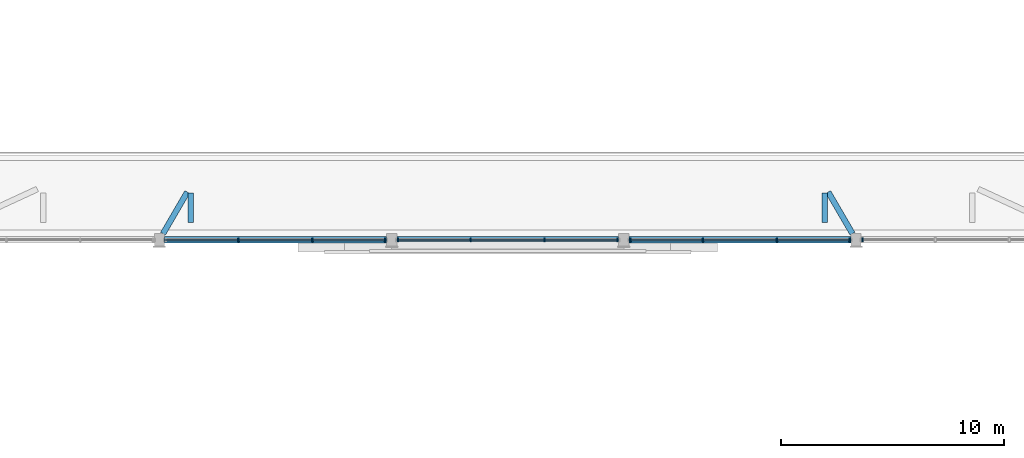
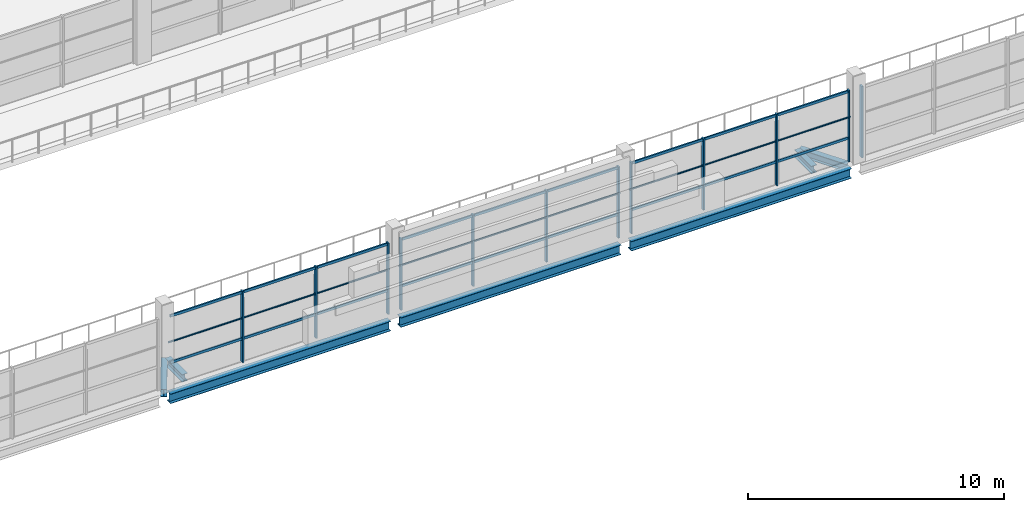
# One storey, part 17 of 85: 21 members, 7 beams, 4 elements without a shape of their own.
"""IFC4 building model written with IfcOpenShell, lengths in metres."""

from ifc_helpers import new_model, si_unit, derived_unit, direction, frame, origin, origin_2d, place, context, subcontext, project, spatial, rectangle, hollow_circle, i_section, extrude, material, material_profile, profile_set, type_object, element, aggregate, save


model = new_model("IFC4")

# Units and contexts
model_context = context("Model", 3, precision=1e-05, world=origin(), true_north=direction((0.0, 1.0)))
body_context = subcontext(model_context, "Body", "Model", "MODEL_VIEW")
ifc_project = project(units=[si_unit("LENGTHUNIT", "METRE"), si_unit("AREAUNIT", "SQUARE_METRE"), si_unit("VOLUMEUNIT", "CUBIC_METRE"), si_unit("PLANEANGLEUNIT", "RADIAN"), si_unit("MASSUNIT", "GRAM", prefix="KILO"), derived_unit("THERMALTRANSMITTANCEUNIT", [(si_unit("POWERUNIT", "WATT"), 1), (si_unit("LENGTHUNIT", "METRE"), -2), (si_unit("THERMODYNAMICTEMPERATUREUNIT", "KELVIN"), -1)])], contexts=[model_context])

# Site, building, storey
site_placement = place(None, origin())
site = spatial("IfcSite", under=ifc_project, at=site_placement, CompositionType="ELEMENT")
building_placement = place(site_placement, origin())
building = spatial("IfcBuilding", under=site, at=building_placement, Name="Braskholm Square Health Centre", CompositionType="ELEMENT")
storey_placement = place(building_placement, frame((0.0, 0.0, 9.300048828125)))
storey = spatial("IfcBuildingStorey", under=building, at=storey_placement, Name="L03", CompositionType="ELEMENT", Elevation=9.300048828125)

# Members
ifc_material_1 = material(Name="Steel ASTM A500 Grade C", Category="steel")
ifc_material_profile_1 = material_profile(ifc_material_1, hollow_circle(Radius=0.04443359375, WallThickness=0.005126953125, at=origin_2d()), Name="HSS3.500X0.216")
ifc_profile_set_1 = profile_set([ifc_material_profile_1], Name="Steel ASTM A500 Grade C")
member_type_1 = type_object("IfcMemberType", Name="ClerestoryGirtStrutCHS89", PredefinedType="STRUT", material=ifc_profile_set_1)
for number, where, z_axis, x_axis, name in (
    (1, (68.610107421875, 87.199951171875, 2.099853515625), (1.0, 0.0, 0.0), (0.0, 1.0, 0.0), "Waiting Hall high clerestory girt Bay 3"),
    (2, (79.010009765625, 87.199951171875, 2.099853515625), (1.0, 0.0, 0.0), (0.0, 1.0, 0.0), "Waiting Hall high clerestory girt Bay 4"),
    (3, (89.409912109375, 87.199951171875, 2.099853515625), (1.0, 0.0, 0.0), (0.0, 1.0, 0.0), "Waiting Hall high clerestory girt Bay 5"),
):
    element("IfcMember", number, at=place(storey_placement, frame(where, z_axis=z_axis, x_axis=x_axis)), inside=storey, type_object=member_type_1, Name=name, PredefinedType="STRUT", context=body_context, shape_type="SweptSolid", body=[
        extrude(hollow_circle(Radius=0.04443359375, WallThickness=0.005126953125, at=origin_2d()), origin(), (0.0, 0.0, 1.0), 9.97998046875),
    ])

# Curtain wall, members
ifc_material_2 = material(Name="Low-E triple insulating glass (VLT 0.64)", Category="glass")
curtain_wall_type = type_object("IfcCurtainWallType", Name="UnitisedCurtainWall6200x3650", PredefinedType="NOTDEFINED", material=ifc_material_2)
curtain_wall_1_placement = place(storey_placement, origin())
curtain_wall_1 = element("IfcCurtainWall", 4, at=curtain_wall_1_placement, inside=storey, type_object=curtain_wall_type, Name="Hall Clerestory L03 unitised curtain wall CW-L03-0190", PredefinedType="NOTDEFINED")
ifc_material_3 = material(Name="Architectural bronze anodised aluminium", Category="aluminium")
ifc_material_profile_2 = material_profile(ifc_material_3, rectangle(XDim=0.06494140625, YDim=0.14990234375, at=origin_2d()), Name="ALU-65X150")
ifc_profile_set_2 = profile_set([ifc_material_profile_2], Name="Architectural bronze anodised aluminium")
member_type_2 = type_object("IfcMemberType", Name="CurtainWallMullion65x150", PredefinedType="MULLION", material=ifc_profile_set_2)
member_1_placement = place(storey_placement, frame((71.944091796875, 87.199951171875, 0.0), z_axis=(0.0, 0.0, 1.0), x_axis=(1.0, 0.0, 0.0)))
member_1 = element("IfcMember", 5, at=member_1_placement, type_object=member_type_2, Name="CW-L03-0190 vertical mullion 2", PredefinedType="MULLION", context=body_context, shape_type="SweptSolid", body=[
    extrude(rectangle(XDim=0.06494140625, YDim=0.14990234375, at=origin_2d()), origin(), (0.0, 0.0, 1.0), 3.406005859375),
])
member_2_placement = place(storey_placement, frame((75.256103515625, 87.199951171875, 0.0), z_axis=(0.0, 0.0, 1.0), x_axis=(1.0, 0.0, 0.0)))
member_2 = element("IfcMember", 6, at=member_2_placement, type_object=member_type_2, Name="CW-L03-0190 vertical mullion 3", PredefinedType="MULLION", context=body_context, shape_type="SweptSolid", body=[
    extrude(rectangle(XDim=0.06494140625, YDim=0.14990234375, at=origin_2d()), origin(), (0.0, 0.0, 1.0), 3.406005859375),
])
member_3_placement = place(storey_placement, frame((78.50830078125, 87.199951171875, 0.0), z_axis=(0.0, 0.0, 1.0), x_axis=(1.0, 0.0, 0.0)))
member_3 = element("IfcMember", 7, at=member_3_placement, type_object=member_type_2, Name="CW-L03-0190 vertical mullion 4", PredefinedType="MULLION", context=body_context, shape_type="SweptSolid", body=[
    extrude(rectangle(XDim=0.06494140625, YDim=0.14990234375, at=origin_2d()), origin(), (0.0, 0.0, 1.0), 3.406005859375),
])

curtain_wall_2_placement = place(storey_placement, origin())
curtain_wall_2 = element("IfcCurtainWall", 8, at=curtain_wall_2_placement, inside=storey, type_object=curtain_wall_type, Name="Hall Clerestory L03 unitised curtain wall CW-L03-0192", PredefinedType="NOTDEFINED")
member_4_placement = place(storey_placement, frame((79.091552734375, 87.199951171875, 0.0), z_axis=(0.0, 0.0, 1.0), x_axis=(1.0, 0.0, 0.0)))
member_4 = element("IfcMember", 9, at=member_4_placement, type_object=member_type_2, Name="CW-L03-0192 vertical mullion 1", PredefinedType="MULLION", context=body_context, shape_type="SweptSolid", body=[
    extrude(rectangle(XDim=0.06494140625, YDim=0.14990234375, at=origin_2d()), origin(), (0.0, 0.0, 1.0), 3.406005859375),
])
member_5_placement = place(storey_placement, frame((82.343994140625, 87.199951171875, 0.0), z_axis=(0.0, 0.0, 1.0), x_axis=(1.0, 0.0, 0.0)))
member_5 = element("IfcMember", 10, at=member_5_placement, type_object=member_type_2, Name="CW-L03-0192 vertical mullion 2", PredefinedType="MULLION", context=body_context, shape_type="SweptSolid", body=[
    extrude(rectangle(XDim=0.06494140625, YDim=0.14990234375, at=origin_2d()), origin(), (0.0, 0.0, 1.0), 3.406005859375),
])
member_6_placement = place(storey_placement, frame((85.656005859375, 87.199951171875, 0.0), z_axis=(0.0, 0.0, 1.0), x_axis=(1.0, 0.0, 0.0)))
member_6 = element("IfcMember", 11, at=member_6_placement, type_object=member_type_2, Name="CW-L03-0192 vertical mullion 3", PredefinedType="MULLION", context=body_context, shape_type="SweptSolid", body=[
    extrude(rectangle(XDim=0.06494140625, YDim=0.14990234375, at=origin_2d()), origin(), (0.0, 0.0, 1.0), 3.406005859375),
])
member_7_placement = place(storey_placement, frame((88.908447265625, 87.199951171875, 0.0), z_axis=(0.0, 0.0, 1.0), x_axis=(1.0, 0.0, 0.0)))
member_7 = element("IfcMember", 12, at=member_7_placement, type_object=member_type_2, Name="CW-L03-0192 vertical mullion 4", PredefinedType="MULLION", context=body_context, shape_type="SweptSolid", body=[
    extrude(rectangle(XDim=0.06494140625, YDim=0.14990234375, at=origin_2d()), origin(), (0.0, 0.0, 1.0), 3.406005859375),
])

curtain_wall_3_placement = place(storey_placement, origin())
curtain_wall_3 = element("IfcCurtainWall", 13, at=curtain_wall_3_placement, inside=storey, type_object=curtain_wall_type, Name="Hall Clerestory L03 unitised curtain wall CW-L03-0194", PredefinedType="NOTDEFINED")
member_8_placement = place(storey_placement, frame((89.49169921875, 87.199951171875, 0.0), z_axis=(0.0, 0.0, 1.0), x_axis=(1.0, 0.0, 0.0)))
member_8 = element("IfcMember", 14, at=member_8_placement, type_object=member_type_2, Name="CW-L03-0194 vertical mullion 1", PredefinedType="MULLION", context=body_context, shape_type="SweptSolid", body=[
    extrude(rectangle(XDim=0.06494140625, YDim=0.14990234375, at=origin_2d()), origin(), (0.0, 0.0, 1.0), 3.406005859375),
])
member_9_placement = place(storey_placement, frame((92.743896484375, 87.199951171875, 0.0), z_axis=(0.0, 0.0, 1.0), x_axis=(1.0, 0.0, 0.0)))
member_9 = element("IfcMember", 15, at=member_9_placement, type_object=member_type_2, Name="CW-L03-0194 vertical mullion 2", PredefinedType="MULLION", context=body_context, shape_type="SweptSolid", body=[
    extrude(rectangle(XDim=0.06494140625, YDim=0.14990234375, at=origin_2d()), origin(), (0.0, 0.0, 1.0), 3.406005859375),
])
member_10_placement = place(storey_placement, frame((96.055908203125, 87.199951171875, 0.0), z_axis=(0.0, 0.0, 1.0), x_axis=(1.0, 0.0, 0.0)))
member_10 = element("IfcMember", 16, at=member_10_placement, type_object=member_type_2, Name="CW-L03-0194 vertical mullion 3", PredefinedType="MULLION", context=body_context, shape_type="SweptSolid", body=[
    extrude(rectangle(XDim=0.06494140625, YDim=0.14990234375, at=origin_2d()), origin(), (0.0, 0.0, 1.0), 3.406005859375),
])
member_11_placement = place(storey_placement, frame((99.308349609375, 87.199951171875, 0.0), z_axis=(0.0, 0.0, 1.0), x_axis=(1.0, 0.0, 0.0)))
member_11 = element("IfcMember", 17, at=member_11_placement, type_object=member_type_2, Name="CW-L03-0194 vertical mullion 4", PredefinedType="MULLION", context=body_context, shape_type="SweptSolid", body=[
    extrude(rectangle(XDim=0.06494140625, YDim=0.14990234375, at=origin_2d()), origin(), (0.0, 0.0, 1.0), 3.406005859375),
])

# Curtain wall, member
curtain_wall_4_placement = place(storey_placement, origin())
curtain_wall_4 = element("IfcCurtainWall", 18, at=curtain_wall_4_placement, inside=storey, type_object=curtain_wall_type, Name="Hall Clerestory L03 unitised curtain wall CW-L03-0197", PredefinedType="NOTDEFINED")
ifc_material_profile_3 = material_profile(ifc_material_3, rectangle(XDim=0.074951171875, YDim=0.179931640625, at=origin_2d()), Name="ALU-75X180")
ifc_profile_set_3 = profile_set([ifc_material_profile_3], Name="Architectural bronze anodised aluminium")
member_type_3 = type_object("IfcMemberType", Name="CurtainWallMullion75x180", PredefinedType="MULLION", material=ifc_profile_set_3)
member_12_placement = place(storey_placement, frame((99.8916015625, 87.199951171875, 0.0), z_axis=(0.0, 0.0, 1.0), x_axis=(1.0, 0.0, 0.0)))
member_12 = element("IfcMember", 19, at=member_12_placement, type_object=member_type_3, Name="CW-L03-0197 vertical mullion 1", PredefinedType="MULLION", context=body_context, shape_type="SweptSolid", body=[
    extrude(rectangle(XDim=0.074951171875, YDim=0.179931640625, at=origin_2d()), origin(), (0.0, 0.0, 1.0), 3.406005859375),
])
aggregate(curtain_wall_4, [member_12])

# Member
ifc_material_profile_4 = material_profile(ifc_material_3, rectangle(XDim=0.06494140625, YDim=0.1201171875, at=origin_2d()), Name="ALU-65X120")
ifc_profile_set_4 = profile_set([ifc_material_profile_4], Name="Architectural bronze anodised aluminium")
member_type_4 = type_object("IfcMemberType", Name="CurtainWallTransom65x120", PredefinedType="USERDEFINED", material=ifc_profile_set_4)
member_13_placement = place(storey_placement, frame((68.677001953125, 87.199951171875, 1.119873046875), z_axis=(1.0, 0.0, 0.0), x_axis=(0.0, 1.0, 0.0)))
member_13 = element("IfcMember", 20, at=member_13_placement, type_object=member_type_4, Name="CW-L03-0190 horizontal transom 1", ObjectType="TRANSOM", PredefinedType="USERDEFINED", context=body_context, shape_type="SweptSolid", body=[
    extrude(rectangle(XDim=0.06494140625, YDim=0.1201171875, at=origin_2d()), origin(), (0.0, 0.0, 1.0), 9.845947265625),
])

member_14_placement = place(storey_placement, frame((68.677001953125, 87.199951171875, 3.3359375), z_axis=(1.0, 0.0, 0.0), x_axis=(0.0, 1.0, 0.0)))
member_14 = element("IfcMember", 21, at=member_14_placement, type_object=member_type_4, Name="CW-L03-0190 horizontal transom 2", ObjectType="TRANSOM", PredefinedType="USERDEFINED", context=body_context, shape_type="SweptSolid", body=[
    extrude(rectangle(XDim=0.06494140625, YDim=0.1201171875, at=origin_2d()), origin(), (0.0, 0.0, 1.0), 9.845947265625),
])

aggregate(curtain_wall_1, [member_1, member_2, member_3, member_13, member_14])

member_15_placement = place(storey_placement, frame((79.076904296875, 87.199951171875, 1.119873046875), z_axis=(1.0, 0.0, 0.0), x_axis=(0.0, 1.0, 0.0)))
member_15 = element("IfcMember", 22, at=member_15_placement, type_object=member_type_4, Name="CW-L03-0192 horizontal transom 1", ObjectType="TRANSOM", PredefinedType="USERDEFINED", context=body_context, shape_type="SweptSolid", body=[
    extrude(rectangle(XDim=0.06494140625, YDim=0.1201171875, at=origin_2d()), origin(), (0.0, 0.0, 1.0), 9.84619140625),
])

member_16_placement = place(storey_placement, frame((79.076904296875, 87.199951171875, 3.3359375), z_axis=(1.0, 0.0, 0.0), x_axis=(0.0, 1.0, 0.0)))
member_16 = element("IfcMember", 23, at=member_16_placement, type_object=member_type_4, Name="CW-L03-0192 horizontal transom 2", ObjectType="TRANSOM", PredefinedType="USERDEFINED", context=body_context, shape_type="SweptSolid", body=[
    extrude(rectangle(XDim=0.06494140625, YDim=0.1201171875, at=origin_2d()), origin(), (0.0, 0.0, 1.0), 9.84619140625),
])

aggregate(curtain_wall_2, [member_4, member_5, member_6, member_7, member_15, member_16])

member_17_placement = place(storey_placement, frame((89.47705078125, 87.199951171875, 1.119873046875), z_axis=(1.0, 0.0, 0.0), x_axis=(0.0, 1.0, 0.0)))
member_17 = element("IfcMember", 24, at=member_17_placement, type_object=member_type_4, Name="CW-L03-0194 horizontal transom 1", ObjectType="TRANSOM", PredefinedType="USERDEFINED", context=body_context, shape_type="SweptSolid", body=[
    extrude(rectangle(XDim=0.06494140625, YDim=0.1201171875, at=origin_2d()), origin(), (0.0, 0.0, 1.0), 9.845947265625),
])

member_18_placement = place(storey_placement, frame((89.47705078125, 87.199951171875, 3.3359375), z_axis=(1.0, 0.0, 0.0), x_axis=(0.0, 1.0, 0.0)))
member_18 = element("IfcMember", 25, at=member_18_placement, type_object=member_type_4, Name="CW-L03-0194 horizontal transom 2", ObjectType="TRANSOM", PredefinedType="USERDEFINED", context=body_context, shape_type="SweptSolid", body=[
    extrude(rectangle(XDim=0.06494140625, YDim=0.1201171875, at=origin_2d()), origin(), (0.0, 0.0, 1.0), 9.845947265625),
])

aggregate(curtain_wall_3, [member_8, member_9, member_10, member_11, member_17, member_18])

# Beams
ifc_material_4 = material(Name="Steel ASTM A992 Grade 50", Category="steel")
ifc_material_profile_5 = material_profile(ifc_material_4, i_section(OverallWidth=0.2548828125, OverallDepth=0.35693359375, WebThickness=0.010498046875, FlangeThickness=0.018310546875, at=origin_2d()), Name="W14X68")
ifc_profile_set_5 = profile_set([ifc_material_profile_5], Name="Steel ASTM A992 Grade 50")
beam_type_1 = type_object("IfcBeamType", Name="SteelBeamCanopyW14X68", PredefinedType="BEAM", material=ifc_profile_set_5)
for number, where, z_axis, x_axis, name in (
    (26, (69.64990234375, 89.342529296875, -0.478515625), (-0.503927288907, -0.863746078136, 0.0), (0.863746078136, -0.503927288907, 0.0), "Tie beam RC03 L03"),
    (27, (98.35009765625, 89.342529296875, -0.478515625), (0.503927288907, -0.863746078136, 0.0), (0.863746078136, 0.503927288907, 0.0), "Tie beam RC04 L03"),
):
    element("IfcBeam", number, at=place(storey_placement, frame(where, z_axis=z_axis, x_axis=x_axis)), inside=storey, type_object=beam_type_1, Name=name, PredefinedType="BEAM", context=body_context, shape_type="SweptSolid", body=[
        extrude(i_section(OverallWidth=0.2548828125, OverallDepth=0.35693359375, WebThickness=0.010498046875, FlangeThickness=0.018310546875, at=origin_2d()), origin(), (0.0, 0.0, 1.0), 2.158447265625),
    ])
for number, where, z_axis, x_axis, name in (
    (28, (69.800048828125, 87.97607421875, -0.478515625), (0.0, 1.0, 0.0), (-1.0, 0.0, 0.0), "Tie beam CS1C L03"),
    (29, (98.199951171875, 87.97607421875, -0.478515625), (0.0, 1.0, 0.0), (-1.0, 0.0, 0.0), "Tie beam CS1D L03"),
):
    element("IfcBeam", number, at=place(storey_placement, frame(where, z_axis=z_axis, x_axis=x_axis)), inside=storey, type_object=beam_type_1, Name=name, PredefinedType="BEAM", context=body_context, shape_type="SweptSolid", body=[
        extrude(i_section(OverallWidth=0.2548828125, OverallDepth=0.35693359375, WebThickness=0.010498046875, FlangeThickness=0.018310546875, at=origin_2d()), origin(), (0.0, 0.0, 1.0), 1.325927734375),
    ])
ifc_material_profile_6 = material_profile(ifc_material_4, i_section(OverallWidth=0.280029296875, OverallDepth=0.462890625, WebThickness=0.0107421875, FlangeThickness=0.017333984375, at=origin_2d()), Name="W18X76")
ifc_profile_set_6 = profile_set([ifc_material_profile_6], Name="Steel ASTM A992 Grade 50")
beam_type_2 = type_object("IfcBeamType", Name="SteelGirderGalleryW18X76", PredefinedType="BEAM", material=ifc_profile_set_6)
beam_1_placement = place(storey_placement, frame((68.6298828125, 87.199951171875, -0.531494140625), z_axis=(1.0, 0.0, 0.0), x_axis=(0.0, 1.0, 0.0)))
element("IfcBeam", 30, at=beam_1_placement, inside=storey, type_object=beam_type_2, Name="Beam 10-11/N L03", PredefinedType="BEAM", context=body_context, shape_type="SweptSolid", body=[
    extrude(i_section(OverallWidth=0.280029296875, OverallDepth=0.462890625, WebThickness=0.0107421875, FlangeThickness=0.017333984375, at=origin_2d()), origin(), (0.0, 0.0, 1.0), 9.940185546875),
])
beam_2_placement = place(storey_placement, frame((79.030029296875, 87.199951171875, -0.531494140625), z_axis=(1.0, 0.0, 0.0), x_axis=(0.0, 1.0, 0.0)))
element("IfcBeam", 31, at=beam_2_placement, inside=storey, type_object=beam_type_2, Name="Beam 11-12/N L03", PredefinedType="BEAM", context=body_context, shape_type="SweptSolid", body=[
    extrude(i_section(OverallWidth=0.280029296875, OverallDepth=0.462890625, WebThickness=0.0107421875, FlangeThickness=0.017333984375, at=origin_2d()), origin(), (0.0, 0.0, 1.0), 9.93994140625),
])
beam_3_placement = place(storey_placement, frame((89.429931640625, 87.199951171875, -0.531494140625), z_axis=(1.0, 0.0, 0.0), x_axis=(0.0, 1.0, 0.0)))
element("IfcBeam", 32, at=beam_3_placement, inside=storey, type_object=beam_type_2, Name="Beam 12-13/N L03", PredefinedType="BEAM", context=body_context, shape_type="SweptSolid", body=[
    extrude(i_section(OverallWidth=0.280029296875, OverallDepth=0.462890625, WebThickness=0.0107421875, FlangeThickness=0.017333984375, at=origin_2d()), origin(), (0.0, 0.0, 1.0), 9.940185546875),
])

save(model, "model.ifc")
